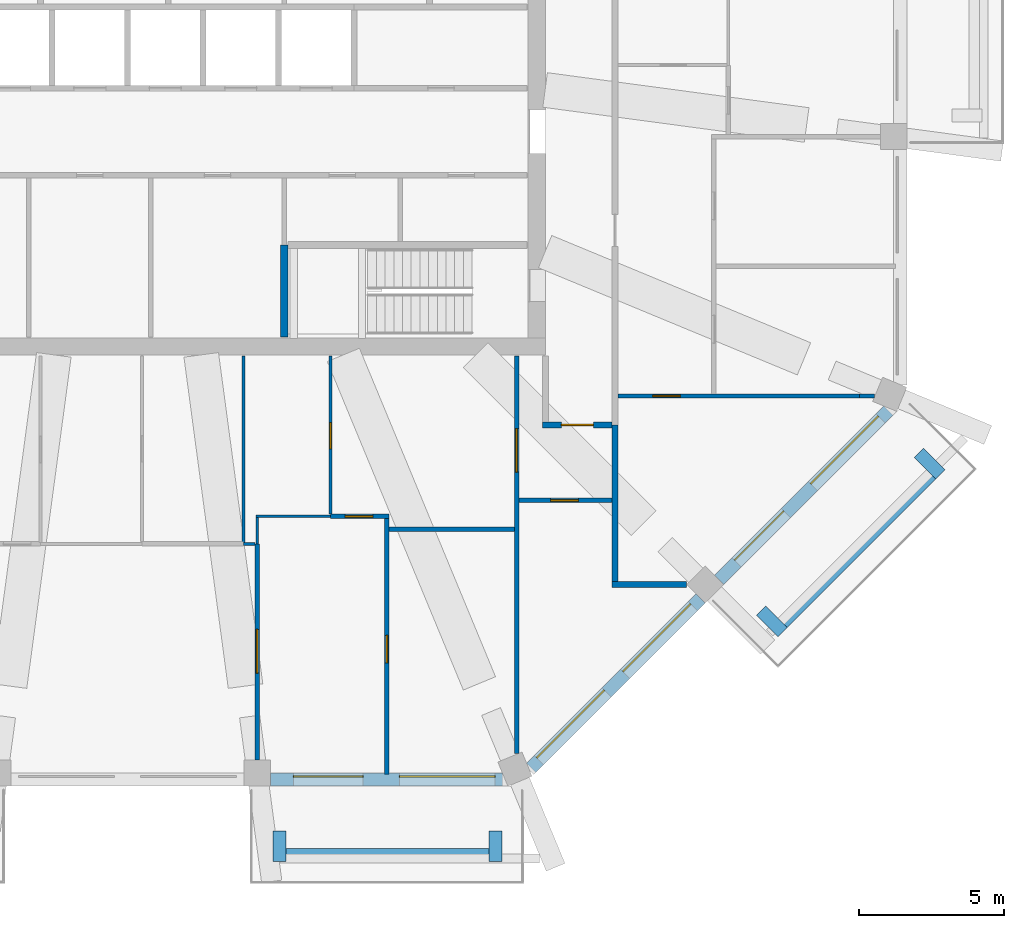
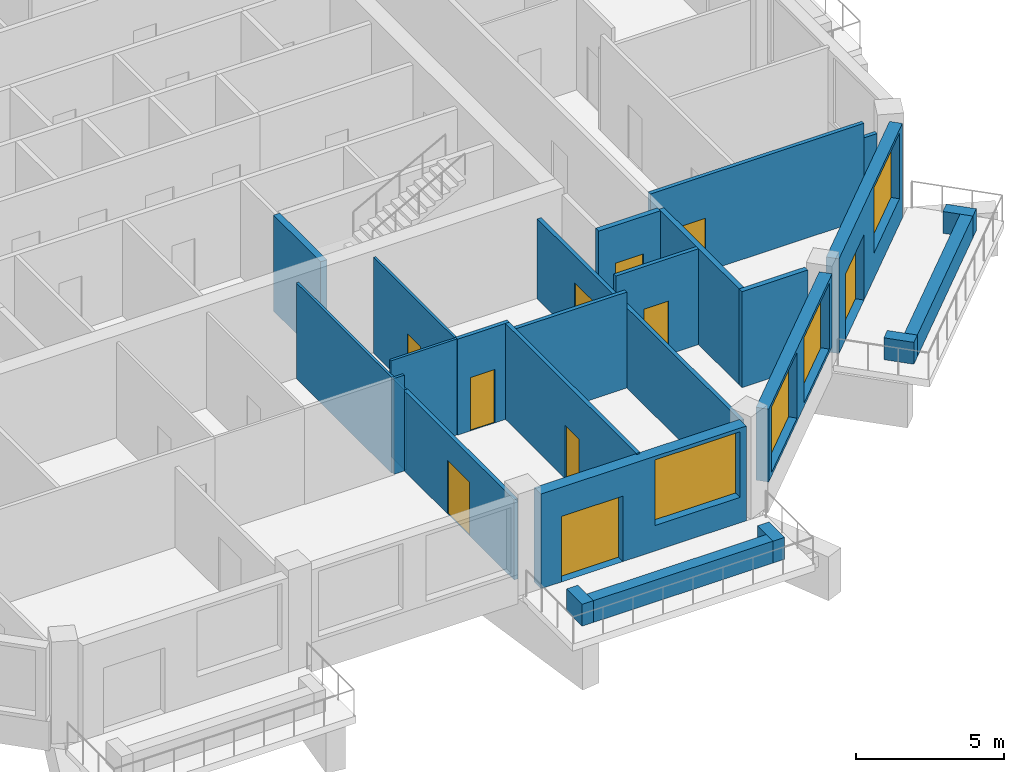
# One storey, part 5 of 12: 26 walls, 10 doors, 4 windows, 14 openings.
"""IFC4 building model written with IfcOpenShell, lengths in metres."""

from ifc_helpers import new_model, si_unit, direction, frame, frame_2d, origin, place, context, subcontext, project, spatial, rectangle, extrude, material, layer, layer_set, type_object, element, fill, save


model = new_model("IFC4")

# Units and contexts
model_context = context("Model", 3, precision=1e-05, world=origin(), true_north=direction((0.0, 1.0)))
body_context = subcontext(model_context, "Body", "Model", "MODEL_VIEW")
ifc_project = project(units=[si_unit("LENGTHUNIT", "METRE"), si_unit("AREAUNIT", "SQUARE_METRE"), si_unit("VOLUMEUNIT", "CUBIC_METRE"), si_unit("PLANEANGLEUNIT", "RADIAN"), si_unit("MASSUNIT", "GRAM", prefix="KILO")], contexts=[model_context])

# Site, building, storey
site_placement = place(None, origin())
site = spatial("IfcSite", under=ifc_project, at=site_placement, CompositionType="ELEMENT")
building_placement = place(site_placement, origin())
building = spatial("IfcBuilding", under=site, at=building_placement, Name="Msitu Wima Residences", CompositionType="ELEMENT")
storey_placement = place(building_placement, frame((0.0, 0.0, 213.89990234375)))
storey = spatial("IfcBuildingStorey", under=building, at=storey_placement, Name="L49", CompositionType="ELEMENT", Elevation=213.89990234375)

# Walls
ifc_material_1 = material(Name="Facing brick")
ifc_layer_1 = layer(ifc_material_1, 0.06494140625, Name="Facing brick")
ifc_material_2 = material(Name="Concrete C40/50", Category="concrete")
ifc_layer_2 = layer(ifc_material_2, 0.156005859375, Name="Concrete C40/50")
ifc_material_3 = material(Name="Waterproofing membrane")
ifc_layer_3 = layer(ifc_material_3, 0.00390625, Name="Waterproofing membrane")
ifc_material_4 = material(Name="Planting soil and planting")
ifc_layer_4 = layer(ifc_material_4, 0.22509765625, Name="Planting soil and planting")
ifc_layer_set_1 = layer_set([ifc_layer_1, ifc_layer_2, ifc_layer_3, ifc_layer_4], Name="Concrete C40/50")
wall_type_1 = type_object("IfcWallType", Name="Balcony planter PLANTER PL450", PredefinedType="USERDEFINED", material=ifc_layer_set_1)
wall_1_placement = place(storey_placement, frame((5.468505859375, -29.22509765625, 0.0), z_axis=(0.0, 0.0, 1.0), x_axis=(1.0, 0.0, 0.0)))
element("IfcWall", 1, at=wall_1_placement, inside=storey, type_object=wall_type_1, Name="Balcony planter S2 L49", ObjectType="PLANTER", PredefinedType="USERDEFINED", context=body_context, shape_type="SweptSolid", body=[
    extrude(rectangle(XDim=6.9873046875, YDim=0.449951171875, at=frame_2d((3.49365234375, 0.0))), origin(), (0.0, 0.0, 1.0), 0.900146484375),
])
for number, where, z_axis, x_axis, name in (
    (2, (5.24365234375, -28.39990234375, 0.0), (0.0, 0.0, 1.0), (0.0, -1.0, 0.0), "Balcony planter S2 L49"),
    (3, (12.680908203125, -28.39990234375, 0.0), (0.0, 0.0, 1.0), (0.0, -1.0, 0.0), "Balcony planter S2 L49"),
):
    element("IfcWall", number, at=place(storey_placement, frame(where, z_axis=z_axis, x_axis=x_axis)), inside=storey, type_object=wall_type_1, Name=name, ObjectType="PLANTER", PredefinedType="USERDEFINED", context=body_context, shape_type="SweptSolid", body=[
        extrude(rectangle(XDim=1.050048828125, YDim=0.449951171875, at=frame_2d((0.52490234375, 0.0))), origin(), (0.0, 0.0, 1.0), 0.900146484375),
    ])
wall_2_placement = place(storey_placement, frame((22.572265625, -21.228759765625, 0.0), z_axis=(0.0, 0.0, 1.0), x_axis=(0.707106781187, 0.707106781187, 0.0)))
element("IfcWall", 4, at=wall_2_placement, inside=storey, type_object=wall_type_1, Name="Balcony planter SE1 L49", ObjectType="PLANTER", PredefinedType="USERDEFINED", context=body_context, shape_type="SweptSolid", body=[
    extrude(rectangle(XDim=7.23828125, YDim=0.449951171875, at=frame_2d((3.619140625, 0.0))), origin(), (0.0, 0.0, 1.0), 0.900146484375),
])
for number, where, z_axis, x_axis, name in (
    (5, (21.829833984375, -20.804443359375, 0.0), (0.0, 0.0, 1.0), (0.707106781187, -0.707106781187, 0.0), "Balcony planter SE1 L49"),
    (6, (27.26611328125, -15.3681640625, 0.0), (0.0, 0.0, 1.0), (0.707223014731, -0.706990528533, 0.0), "Balcony planter SE1 L49"),
):
    element("IfcWall", number, at=place(storey_placement, frame(where, z_axis=z_axis, x_axis=x_axis)), inside=storey, type_object=wall_type_1, Name=name, ObjectType="PLANTER", PredefinedType="USERDEFINED", context=body_context, shape_type="SweptSolid", body=[
        extrude(rectangle(XDim=1.050048828125, YDim=0.449951171875, at=frame_2d((0.52490234375, 0.0))), origin(), (0.0, 0.0, 1.0), 0.900146484375),
    ])

# Wall, openings, door, window
ifc_material_5 = material(Name="Brick (red buff mix)", Category="masonry")
ifc_layer_5 = layer(ifc_material_5, 0.449951171875)
ifc_layer_set_2 = layer_set([ifc_layer_5], Name="Brick (red buff mix)")
wall_type_2 = type_object("IfcWallType", Name="Brick infill wall BW450", PredefinedType="SOLIDWALL", material=ifc_layer_set_2)
wall_3_placement = place(storey_placement, frame((4.918701171875, -26.625, 0.0), z_axis=(0.0, 0.0, 1.0), x_axis=(1.0, 0.0, 0.0)))
wall_3 = element("IfcWall", 7, at=wall_3_placement, inside=storey, type_object=wall_type_2, Name="Brick infill wall L49 S2", PredefinedType="SOLIDWALL", context=body_context, shape_type="SweptSolid", body=[
    extrude(rectangle(XDim=8.0, YDim=0.449951171875, at=frame_2d((4.0, 0.0))), origin(), (0.0, 0.0, 1.0), 3.900146484375),
])
opening_1_placement = place(wall_3_placement, frame((0.800048828125, 0.0, 0.0)))
opening_1 = element("IfcOpeningElement", 8, at=opening_1_placement, cuts=wall_3, Name="Opening D49.007", PredefinedType="OPENING", context=body_context, shape_type="SweptSolid", body=[
    extrude(rectangle(XDim=2.39990234375, YDim=2.699951171875, at=frame_2d((1.199951171875, 1.35009765625))), frame((0.0, 0.23486328125, 0.0), z_axis=(0.0, -1.0, 0.0), x_axis=(1.0, 0.0, 0.0)), (0.0, 0.0, 1.0), 0.469970703125),
])
opening_2_placement = place(wall_3_placement, frame((4.4501953125, 0.0, 1.050048828125)))
opening_2 = element("IfcOpeningElement", 9, at=opening_2_placement, cuts=wall_3, Name="Opening W49.019", PredefinedType="OPENING", context=body_context, shape_type="SweptSolid", body=[
    extrude(rectangle(XDim=3.300048828125, YDim=2.699951171875, at=frame_2d((1.64990234375, 1.35009765625))), frame((0.0, 0.23486328125, 0.0), z_axis=(0.0, -1.0, 0.0), x_axis=(1.0, 0.0, 0.0)), (0.0, 0.0, 1.0), 0.469970703125),
])
ifc_material_6 = material(Name="Anodised aluminium, bronze finish, clear low-emissivity double glazing", Category="aluminium")
door_type_1 = type_object("IfcDoorType", Name="Balcony door D2400x2700", OperationType="SLIDING_TO_LEFT", PredefinedType="DOOR", material=ifc_material_6)
door_1_placement = place(opening_1_placement, origin())
door_1 = element("IfcDoor", 10, at=door_1_placement, inside=storey, type_object=door_type_1, Name="Balcony door L49 S2", OperationType="SINGLE_SWING_LEFT", OverallHeight=2.699951171875, OverallWidth=2.39990234375, PredefinedType="DOOR", context=body_context, shape_type="SweptSolid", body=[
    extrude(rectangle(XDim=2.39990234375, YDim=2.699951171875, at=frame_2d((1.199951171875, 1.35009765625))), frame((0.0, 0.1298828125, 0.0), z_axis=(0.0, -1.0, 0.0), x_axis=(1.0, 0.0, 0.0)), (0.0, 0.0, 1.0), 0.050048828125),
])
fill(opening_1, door_1)
window_type = type_object("IfcWindowType", Name="Window W3300x2700", PartitioningType="DOUBLE_PANEL_VERTICAL", PredefinedType="WINDOW", material=ifc_material_6)
window_1_placement = place(opening_2_placement, origin())
window_1 = element("IfcWindow", 11, at=window_1_placement, inside=storey, type_object=window_type, Name="Window L49 S2.2", OverallHeight=2.699951171875, OverallWidth=3.300048828125, PartitioningType="SINGLE_PANEL", PredefinedType="WINDOW", context=body_context, shape_type="SweptSolid", body=[
    extrude(rectangle(XDim=3.300048828125, YDim=2.699951171875, at=frame_2d((1.64990234375, 1.35009765625))), frame((0.0, 0.135009765625, 0.0), z_axis=(0.0, -1.0, 0.0), x_axis=(1.0, 0.0, 0.0)), (0.0, 0.0, 1.0), 0.06005859375),
])
fill(opening_2, window_1)

# Wall, openings, windows
wall_4_placement = place(storey_placement, frame((13.909423828125, -26.214599609375, 0.900146484375), z_axis=(0.0, 0.0, 1.0), x_axis=(0.707106781187, 0.707106781187, 0.0)))
wall_4 = element("IfcWall", 12, at=wall_4_placement, inside=storey, type_object=wall_type_2, Name="Brick infill wall L49 SE0", PredefinedType="SOLIDWALL", context=body_context, shape_type="SweptSolid", body=[
    extrude(rectangle(XDim=8.251220703125, YDim=0.449951171875, at=frame_2d((4.12548828125, 0.0))), origin(), (0.0, 0.0, 1.0), 3.0),
])
opening_3_placement = place(wall_4_placement, frame((0.37548828125, 0.0, 0.14990234375)))
opening_3 = element("IfcOpeningElement", 13, at=opening_3_placement, cuts=wall_4, Name="Opening W49.020", PredefinedType="OPENING", context=body_context, shape_type="SweptSolid", body=[
    extrude(rectangle(XDim=3.300048828125, YDim=2.699951171875, at=frame_2d((1.64990234375, 1.35009765625))), frame((0.0, 0.23486328125, 0.0), z_axis=(0.0, -1.0, 0.0), x_axis=(1.0, 0.0, 0.0)), (0.0, 0.0, 1.0), 0.469970703125),
])
opening_4_placement = place(wall_4_placement, frame((4.57568359375, 0.0, 0.14990234375)))
opening_4 = element("IfcOpeningElement", 14, at=opening_4_placement, cuts=wall_4, Name="Opening W49.021", PredefinedType="OPENING", context=body_context, shape_type="SweptSolid", body=[
    extrude(rectangle(XDim=3.300048828125, YDim=2.699951171875, at=frame_2d((1.64990234375, 1.35009765625))), frame((0.0, 0.23486328125, 0.0), z_axis=(0.0, -1.0, 0.0), x_axis=(1.0, 0.0, 0.0)), (0.0, 0.0, 1.0), 0.469970703125),
])
window_2_placement = place(opening_3_placement, origin())
window_2 = element("IfcWindow", 15, at=window_2_placement, inside=storey, type_object=window_type, Name="Window L49 SE0.1", OverallHeight=2.699951171875, OverallWidth=3.300048828125, PartitioningType="SINGLE_PANEL", PredefinedType="WINDOW", context=body_context, shape_type="SweptSolid", body=[
    extrude(rectangle(XDim=3.300048828125, YDim=2.699951171875, at=frame_2d((1.64990234375, 1.35009765625))), frame((0.0, 0.135009765625, 0.0), z_axis=(0.0, -1.0, 0.0), x_axis=(1.0, 0.0, 0.0)), (0.0, 0.0, 1.0), 0.06005859375),
])
fill(opening_3, window_2)
window_3_placement = place(opening_4_placement, origin())
window_3 = element("IfcWindow", 16, at=window_3_placement, inside=storey, type_object=window_type, Name="Window L49 SE0.2", OverallHeight=2.699951171875, OverallWidth=3.300048828125, PartitioningType="SINGLE_PANEL", PredefinedType="WINDOW", context=body_context, shape_type="SweptSolid", body=[
    extrude(rectangle(XDim=3.300048828125, YDim=2.699951171875, at=frame_2d((1.64990234375, 1.35009765625))), frame((0.0, 0.135009765625, 0.0), z_axis=(0.0, -1.0, 0.0), x_axis=(1.0, 0.0, 0.0)), (0.0, 0.0, 1.0), 0.06005859375),
])
fill(opening_4, window_3)

# Wall, openings, door, window
wall_5_placement = place(storey_placement, frame((20.380126953125, -19.743896484375, 0.0), z_axis=(0.0, 0.0, 1.0), x_axis=(0.707106781187, 0.707106781187, 0.0)))
wall_5 = element("IfcWall", 17, at=wall_5_placement, inside=storey, type_object=wall_type_2, Name="Brick infill wall L49 SE1", PredefinedType="SOLIDWALL", context=body_context, shape_type="SweptSolid", body=[
    extrude(rectangle(XDim=8.251220703125, YDim=0.449951171875, at=frame_2d((4.12548828125, 0.0))), origin(), (0.0, 0.0, 1.0), 3.900146484375),
])
opening_5_placement = place(wall_5_placement, frame((0.86279296875, 0.0, 0.0)))
opening_5 = element("IfcOpeningElement", 18, at=opening_5_placement, cuts=wall_5, Name="Opening D49.008", PredefinedType="OPENING", context=body_context, shape_type="SweptSolid", body=[
    extrude(rectangle(XDim=2.39990234375, YDim=2.699951171875, at=frame_2d((1.199951171875, 1.35009765625))), frame((0.0, 0.23486328125, 0.0), z_axis=(0.0, -1.0, 0.0), x_axis=(1.0, 0.0, 0.0)), (0.0, 0.0, 1.0), 0.469970703125),
])
opening_6_placement = place(wall_5_placement, frame((4.57568359375, 0.0, 1.050048828125)))
opening_6 = element("IfcOpeningElement", 19, at=opening_6_placement, cuts=wall_5, Name="Opening W49.022", PredefinedType="OPENING", context=body_context, shape_type="SweptSolid", body=[
    extrude(rectangle(XDim=3.300048828125, YDim=2.699951171875, at=frame_2d((1.64990234375, 1.35009765625))), frame((0.0, 0.23486328125, 0.0), z_axis=(0.0, -1.0, 0.0), x_axis=(1.0, 0.0, 0.0)), (0.0, 0.0, 1.0), 0.469970703125),
])
door_2_placement = place(opening_5_placement, origin())
door_2 = element("IfcDoor", 20, at=door_2_placement, inside=storey, type_object=door_type_1, Name="Balcony door L49 SE1", OperationType="SINGLE_SWING_LEFT", OverallHeight=2.699951171875, OverallWidth=2.39990234375, PredefinedType="DOOR", context=body_context, shape_type="SweptSolid", body=[
    extrude(rectangle(XDim=2.39990234375, YDim=2.699951171875, at=frame_2d((1.199951171875, 1.35009765625))), frame((0.0, 0.1298828125, 0.0), z_axis=(0.0, -1.0, 0.0), x_axis=(1.0, 0.0, 0.0)), (0.0, 0.0, 1.0), 0.050048828125),
])
fill(opening_5, door_2)
window_4_placement = place(opening_6_placement, origin())
window_4 = element("IfcWindow", 21, at=window_4_placement, inside=storey, type_object=window_type, Name="Window L49 SE1.2", OverallHeight=2.699951171875, OverallWidth=3.300048828125, PartitioningType="SINGLE_PANEL", PredefinedType="WINDOW", context=body_context, shape_type="SweptSolid", body=[
    extrude(rectangle(XDim=3.300048828125, YDim=2.699951171875, at=frame_2d((1.64990234375, 1.35009765625))), frame((0.0, 0.135009765625, 0.0), z_axis=(0.0, -1.0, 0.0), x_axis=(1.0, 0.0, 0.0)), (0.0, 0.0, 1.0), 0.06005859375),
])
fill(opening_6, window_4)

# Wall, opening, door
ifc_material_7 = material(Name="Plaster")
ifc_layer_6 = layer(ifc_material_7, 0.011962890625, Name="Plaster")
ifc_material_8 = material(Name="Concrete blockwork", Category="masonry")
ifc_layer_7 = layer(ifc_material_8, 0.176025390625, Name="Concrete blockwork")
ifc_layer_8 = layer(ifc_material_7, 0.011962890625, Name="Plaster")
ifc_layer_set_3 = layer_set([ifc_layer_6, ifc_layer_7, ifc_layer_8], Name="Concrete blockwork")
wall_type_3 = type_object("IfcWallType", Name="Corridor wall FW200", PredefinedType="PARTITIONING", material=ifc_layer_set_3)
wall_6_placement = place(storey_placement, frame((14.300048828125, -14.39990234375, 0.0), z_axis=(0.0, 0.0, 1.0), x_axis=(1.0, 0.0, 0.0)))
wall_6 = element("IfcWall", 22, at=wall_6_placement, inside=storey, type_object=wall_type_3, Name="Corridor wall", PredefinedType="PARTITIONING", context=body_context, shape_type="SweptSolid", body=[
    extrude(rectangle(XDim=2.39990234375, YDim=0.199951171875, at=frame_2d((1.199951171875, 0.0))), origin(), (0.0, 0.0, 1.0), 3.9501953125),
])
opening_7_placement = place(wall_6_placement, frame((0.64990234375, 0.0, 0.0)))
opening_7 = element("IfcOpeningElement", 23, at=opening_7_placement, cuts=wall_6, Name="Opening D49.046", PredefinedType="OPENING", context=body_context, shape_type="SweptSolid", body=[
    extrude(rectangle(XDim=1.10009765625, YDim=2.39990234375, at=frame_2d((0.550048828125, 1.199951171875))), frame((0.0, 0.10986328125, 0.0), z_axis=(0.0, -1.0, 0.0), x_axis=(1.0, 0.0, 0.0)), (0.0, 0.0, 1.0), 0.219970703125),
])
ifc_material_9 = material(Name="Timber flush door, fire resisting, self-closing", Category="wood")
door_type_2 = type_object("IfcDoorType", Name="Flat entrance door D01 1100x2400", OperationType="SINGLE_SWING_LEFT", PredefinedType="DOOR", material=ifc_material_9)
door_3_placement = place(opening_7_placement, origin())
door_3 = element("IfcDoor", 24, at=door_3_placement, inside=storey, type_object=door_type_2, Name="Flat entrance door", OperationType="SINGLE_SWING_LEFT", OverallHeight=2.39990234375, OverallWidth=1.10009765625, PredefinedType="DOOR", context=body_context, shape_type="SweptSolid", body=[
    extrude(rectangle(XDim=1.10009765625, YDim=2.39990234375, at=frame_2d((0.550048828125, 1.199951171875))), frame((0.0, 0.02490234375, 0.0), z_axis=(0.0, -1.0, 0.0), x_axis=(1.0, 0.0, 0.0)), (0.0, 0.0, 1.0), 0.050048828125),
])
fill(opening_7, door_3)

ifc_layer_9 = layer(ifc_material_7, 0.011962890625, Name="Plaster")
ifc_layer_10 = layer(ifc_material_8, 0.1259765625, Name="Concrete blockwork")
ifc_layer_11 = layer(ifc_material_7, 0.011962890625, Name="Plaster")
ifc_layer_set_4 = layer_set([ifc_layer_9, ifc_layer_10, ifc_layer_11], Name="Concrete blockwork")
wall_type_4 = type_object("IfcWallType", Name="Partition PW150", PredefinedType="PARTITIONING", material=ifc_layer_set_4)
wall_7_placement = place(storey_placement, frame((4.46875, -25.949951171875, 0.0), z_axis=(0.0, 0.0, 1.0), x_axis=(0.0, 1.0, 0.0)))
wall_7 = element("IfcWall", 25, at=wall_7_placement, inside=storey, type_object=wall_type_4, Name="Partition", PredefinedType="PARTITIONING", context=body_context, shape_type="SweptSolid", body=[
    extrude(rectangle(XDim=7.449951171875, YDim=0.14990234375, at=frame_2d((3.72509765625, 0.0))), origin(), (0.0, 0.0, 1.0), 3.300048828125),
])
opening_8_placement = place(wall_7_placement, frame((3.0, 0.0, 0.0)))
opening_8 = element("IfcOpeningElement", 26, at=opening_8_placement, cuts=wall_7, Name="Opening D49.056", PredefinedType="OPENING", context=body_context, shape_type="SweptSolid", body=[
    extrude(rectangle(XDim=1.5, YDim=2.199951171875, at=frame_2d((0.75, 1.10009765625))), frame((0.0, 0.0849609375, 0.0), z_axis=(0.0, -1.0, 0.0), x_axis=(1.0, 0.0, 0.0)), (0.0, 0.0, 1.0), 0.169921875),
])
ifc_material_10 = material(Name="Timber double door", Category="wood")
door_type_3 = type_object("IfcDoorType", Name="Double door D04 1500x2200", OperationType="DOUBLE_DOOR_SINGLE_SWING", PredefinedType="DOOR", material=ifc_material_10)
door_4_placement = place(opening_8_placement, origin())
door_4 = element("IfcDoor", 27, at=door_4_placement, inside=storey, type_object=door_type_3, Name="Double door", OperationType="DOUBLE_DOOR_SINGLE_SWING", OverallHeight=2.199951171875, OverallWidth=1.5, PredefinedType="DOOR", context=body_context, shape_type="SweptSolid", body=[
    extrude(rectangle(XDim=1.5, YDim=2.199951171875, at=frame_2d((0.75, 1.10009765625))), frame((0.0, 0.02490234375, 0.0), z_axis=(0.0, -1.0, 0.0), x_axis=(1.0, 0.0, 0.0)), (0.0, 0.0, 1.0), 0.050048828125),
])
fill(opening_8, door_4)

wall_8_placement = place(storey_placement, frame((7.0, -17.550048828125, 0.0), z_axis=(0.0, 0.0, 1.0), x_axis=(1.0, 0.0, 0.0)))
wall_8 = element("IfcWall", 28, at=wall_8_placement, inside=storey, type_object=wall_type_4, Name="Partition", PredefinedType="PARTITIONING", context=body_context, shape_type="SweptSolid", body=[
    extrude(rectangle(XDim=2.01220703125, YDim=0.14990234375, at=frame_2d((1.006103515625, 0.0))), origin(), (0.0, 0.0, 1.0), 3.9501953125),
])
opening_9_placement = place(wall_8_placement, frame((0.5, 0.0, 0.0)))
opening_9 = element("IfcOpeningElement", 29, at=opening_9_placement, cuts=wall_8, Name="Opening D49.052", PredefinedType="OPENING", context=body_context, shape_type="SweptSolid", body=[
    extrude(rectangle(XDim=0.949951171875, YDim=2.199951171875, at=frame_2d((0.47509765625, 1.10009765625))), frame((0.0, 0.0849609375, 0.0), z_axis=(0.0, -1.0, 0.0), x_axis=(1.0, 0.0, 0.0)), (0.0, 0.0, 1.0), 0.169921875),
])
ifc_material_11 = material(Name="Timber flush door", Category="wood")
door_type_4 = type_object("IfcDoorType", Name="Room door D12 950x2200", OperationType="SINGLE_SWING_LEFT", PredefinedType="DOOR", material=ifc_material_11)
door_5_placement = place(opening_9_placement, origin())
door_5 = element("IfcDoor", 30, at=door_5_placement, inside=storey, type_object=door_type_4, Name="Room door", OperationType="SINGLE_SWING_LEFT", OverallHeight=2.199951171875, OverallWidth=0.949951171875, PredefinedType="DOOR", context=body_context, shape_type="SweptSolid", body=[
    extrude(rectangle(XDim=0.949951171875, YDim=2.199951171875, at=frame_2d((0.47509765625, 1.10009765625))), frame((0.0, 0.02490234375, 0.0), z_axis=(0.0, -1.0, 0.0), x_axis=(1.0, 0.0, 0.0)), (0.0, 0.0, 1.0), 0.050048828125),
])
fill(opening_9, door_5)

wall_9_placement = place(storey_placement, frame((8.937255859375, -26.455078125, 0.0), z_axis=(0.0, 0.0, 1.0), x_axis=(0.0, 1.0, 0.0)))
wall_9 = element("IfcWall", 31, at=wall_9_placement, inside=storey, type_object=wall_type_4, Name="Partition", PredefinedType="PARTITIONING", context=body_context, shape_type="SweptSolid", body=[
    extrude(rectangle(XDim=8.830078125, YDim=0.14990234375, at=frame_2d((4.4150390625, 0.0))), origin(), (0.0, 0.0, 1.0), 3.9501953125),
])
opening_10_placement = place(wall_9_placement, frame((3.85009765625, 0.0, 0.0)))
opening_10 = element("IfcOpeningElement", 32, at=opening_10_placement, cuts=wall_9, Name="Opening D49.053", PredefinedType="OPENING", context=body_context, shape_type="SweptSolid", body=[
    extrude(rectangle(XDim=0.949951171875, YDim=2.199951171875, at=frame_2d((0.47509765625, 1.10009765625))), frame((0.0, 0.0849609375, 0.0), z_axis=(0.0, -1.0, 0.0), x_axis=(1.0, 0.0, 0.0)), (0.0, 0.0, 1.0), 0.169921875),
])
door_6_placement = place(opening_10_placement, origin())
door_6 = element("IfcDoor", 33, at=door_6_placement, inside=storey, type_object=door_type_4, Name="Room door", OperationType="SINGLE_SWING_LEFT", OverallHeight=2.199951171875, OverallWidth=0.949951171875, PredefinedType="DOOR", context=body_context, shape_type="SweptSolid", body=[
    extrude(rectangle(XDim=0.949951171875, YDim=2.199951171875, at=frame_2d((0.47509765625, 1.10009765625))), frame((0.0, 0.02490234375, 0.0), z_axis=(0.0, -1.0, 0.0), x_axis=(1.0, 0.0, 0.0)), (0.0, 0.0, 1.0), 0.050048828125),
])
fill(opening_10, door_6)

# Wall
wall_10_placement = place(storey_placement, frame((9.01220703125, -18.0, 0.0), z_axis=(0.0, 0.0, 1.0), x_axis=(1.0, 0.0, 0.0)))
element("IfcWall", 34, at=wall_10_placement, inside=storey, type_object=wall_type_4, Name="Partition", PredefinedType="PARTITIONING", context=body_context, shape_type="SweptSolid", body=[
    extrude(rectangle(XDim=4.318603515625, YDim=0.14990234375, at=frame_2d((2.1591796875, 0.0))), origin(), (0.0, 0.0, 1.0), 3.9501953125),
])

# Wall, opening, door
wall_11_placement = place(storey_placement, frame((13.406005859375, -25.731201171875, 0.0), z_axis=(0.0, 0.0, 1.0), x_axis=(0.0, 1.0, 0.0)))
wall_11 = element("IfcWall", 35, at=wall_11_placement, inside=storey, type_object=wall_type_4, Name="Partition", PredefinedType="PARTITIONING", context=body_context, shape_type="SweptSolid", body=[
    extrude(rectangle(XDim=13.701171875, YDim=0.14990234375, at=frame_2d((6.8505859375, 0.0))), origin(), (0.0, 0.0, 1.0), 3.300048828125),
])
opening_11_placement = place(wall_11_placement, frame((9.699951171875, 0.0, 0.0)))
opening_11 = element("IfcOpeningElement", 36, at=opening_11_placement, cuts=wall_11, Name="Opening D49.047", PredefinedType="OPENING", context=body_context, shape_type="SweptSolid", body=[
    extrude(rectangle(XDim=1.5, YDim=2.199951171875, at=frame_2d((0.75, 1.10009765625))), frame((0.0, 0.0849609375, 0.0), z_axis=(0.0, -1.0, 0.0), x_axis=(1.0, 0.0, 0.0)), (0.0, 0.0, 1.0), 0.169921875),
])
door_7_placement = place(opening_11_placement, origin())
door_7 = element("IfcDoor", 37, at=door_7_placement, inside=storey, type_object=door_type_3, Name="Double door", OperationType="DOUBLE_DOOR_SINGLE_SWING", OverallHeight=2.199951171875, OverallWidth=1.5, PredefinedType="DOOR", context=body_context, shape_type="SweptSolid", body=[
    extrude(rectangle(XDim=1.5, YDim=2.199951171875, at=frame_2d((0.75, 1.10009765625))), frame((0.0, 0.02490234375, 0.0), z_axis=(0.0, -1.0, 0.0), x_axis=(1.0, 0.0, 0.0)), (0.0, 0.0, 1.0), 0.050048828125),
])
fill(opening_11, door_7)

wall_12_placement = place(storey_placement, frame((13.48095703125, -17.0, 0.0), z_axis=(0.0, 0.0, 1.0), x_axis=(1.0, 0.0, 0.0)))
wall_12 = element("IfcWall", 38, at=wall_12_placement, inside=storey, type_object=wall_type_4, Name="Partition", PredefinedType="PARTITIONING", context=body_context, shape_type="SweptSolid", body=[
    extrude(rectangle(XDim=3.218994140625, YDim=0.14990234375, at=frame_2d((1.609375, 0.0))), origin(), (0.0, 0.0, 1.0), 3.9501953125),
])
opening_12_placement = place(wall_12_placement, frame((1.10009765625, 0.0, 0.0)))
opening_12 = element("IfcOpeningElement", 39, at=opening_12_placement, cuts=wall_12, Name="Opening D49.054", PredefinedType="OPENING", context=body_context, shape_type="SweptSolid", body=[
    extrude(rectangle(XDim=0.949951171875, YDim=2.199951171875, at=frame_2d((0.47509765625, 1.10009765625))), frame((0.0, 0.0849609375, 0.0), z_axis=(0.0, -1.0, 0.0), x_axis=(1.0, 0.0, 0.0)), (0.0, 0.0, 1.0), 0.169921875),
])
door_8_placement = place(opening_12_placement, origin())
door_8 = element("IfcDoor", 40, at=door_8_placement, inside=storey, type_object=door_type_4, Name="Room door", OperationType="SINGLE_SWING_RIGHT", OverallHeight=2.199951171875, OverallWidth=0.949951171875, PredefinedType="DOOR", context=body_context, shape_type="SweptSolid", body=[
    extrude(rectangle(XDim=0.949951171875, YDim=2.199951171875, at=frame_2d((0.47509765625, 1.10009765625))), frame((0.0, 0.02490234375, 0.0), z_axis=(0.0, -1.0, 0.0), x_axis=(1.0, 0.0, 0.0)), (0.0, 0.0, 1.0), 0.050048828125),
])
fill(opening_12, door_8)

wall_13_placement = place(storey_placement, frame((16.89990234375, -13.406005859375, 0.0), z_axis=(0.0, 0.0, 1.0), x_axis=(1.0, 0.0, 0.0)))
wall_13 = element("IfcWall", 41, at=wall_13_placement, inside=storey, type_object=wall_type_4, Name="Partition", PredefinedType="PARTITIONING", context=body_context, shape_type="SweptSolid", body=[
    extrude(rectangle(XDim=8.32421875, YDim=0.14990234375, at=frame_2d((4.162109375, 0.0))), origin(), (0.0, 0.0, 1.0), 3.9501953125),
])
opening_13_placement = place(wall_13_placement, frame((1.199951171875, 0.0, 0.0)))
opening_13 = element("IfcOpeningElement", 42, at=opening_13_placement, cuts=wall_13, Name="Opening D49.012", PredefinedType="OPENING", context=body_context, shape_type="SweptSolid", body=[
    extrude(rectangle(XDim=0.949951171875, YDim=2.199951171875, at=frame_2d((0.47509765625, 1.10009765625))), frame((0.0, 0.0849609375, 0.0), z_axis=(0.0, -1.0, 0.0), x_axis=(1.0, 0.0, 0.0)), (0.0, 0.0, 1.0), 0.169921875),
])
door_9_placement = place(opening_13_placement, origin())
door_9 = element("IfcDoor", 43, at=door_9_placement, inside=storey, type_object=door_type_4, Name="Room door", OperationType="SINGLE_SWING_RIGHT", OverallHeight=2.199951171875, OverallWidth=0.949951171875, PredefinedType="DOOR", context=body_context, shape_type="SweptSolid", body=[
    extrude(rectangle(XDim=0.949951171875, YDim=2.199951171875, at=frame_2d((0.47509765625, 1.10009765625))), frame((0.0, 0.02490234375, 0.0), z_axis=(0.0, -1.0, 0.0), x_axis=(1.0, 0.0, 0.0)), (0.0, 0.0, 1.0), 0.050048828125),
])
fill(opening_13, door_9)

# Walls
wall_14_placement = place(storey_placement, frame((25.22412109375, -13.406005859375, 0.0), z_axis=(0.0, 0.0, 1.0), x_axis=(1.0, 0.0, 0.0)))
element("IfcWall", 44, at=wall_14_placement, inside=storey, type_object=wall_type_4, Name="Partition", PredefinedType="PARTITIONING", context=body_context, shape_type="SweptSolid", body=[
    extrude(rectangle(XDim=0.507080078125, YDim=0.14990234375, at=frame_2d((0.25341796875, 0.0))), origin(), (0.0, 0.0, 1.0), 3.35009765625),
])
ifc_layer_12 = layer(ifc_material_7, 0.011962890625, Name="Plaster")
ifc_material_12 = material(Name="Dense concrete blockwork", Category="masonry")
ifc_layer_13 = layer(ifc_material_12, 0.176025390625, Name="Dense concrete blockwork")
ifc_layer_14 = layer(ifc_material_7, 0.011962890625, Name="Plaster")
ifc_layer_set_5 = layer_set([ifc_layer_12, ifc_layer_13, ifc_layer_14], Name="Dense concrete blockwork")
wall_type_5 = type_object("IfcWallType", Name="Party wall PW200", PredefinedType="PARTITIONING", material=ifc_layer_set_5)
wall_15_placement = place(storey_placement, frame((16.800048828125, -19.802978515625, 0.0), z_axis=(0.0, 0.0, 1.0), x_axis=(0.0, 1.0, 0.0)))
element("IfcWall", 45, at=wall_15_placement, inside=storey, type_object=wall_type_5, Name="Party wall", PredefinedType="PARTITIONING", context=body_context, shape_type="SweptSolid", body=[
    extrude(rectangle(XDim=5.403076171875, YDim=0.199951171875, at=frame_2d((2.70166015625, 0.0))), origin(), (0.0, 0.0, 1.0), 3.9501953125),
])
wall_16_placement = place(storey_placement, frame((16.699951171875, -19.90283203125, 0.0), z_axis=(0.0, 0.0, 1.0), x_axis=(1.0, 0.0, 0.0)))
element("IfcWall", 46, at=wall_16_placement, inside=storey, type_object=wall_type_5, Name="Party wall", PredefinedType="PARTITIONING", context=body_context, shape_type="SweptSolid", body=[
    extrude(rectangle(XDim=2.566650390625, YDim=0.199951171875, at=frame_2d((1.283203125, 0.0))), origin(), (0.0, 0.0, 1.0), 3.9501953125),
])
ifc_material_13 = material(Name="Concrete C50/60", Category="concrete")
ifc_layer_15 = layer(ifc_material_13, 0.25)
ifc_layer_set_6 = layer_set([ifc_layer_15], Name="Concrete C50/60")
wall_type_6 = type_object("IfcWallType", Name="Stair enclosure wall SW250", PredefinedType="SHEAR", material=ifc_layer_set_6)
wall_17_placement = place(storey_placement, frame((5.39990234375, -11.3701171875, 0.0), z_axis=(0.0, 0.0, 1.0), x_axis=(0.0, 1.0, 0.0)))
element("IfcWall", 47, at=wall_17_placement, inside=storey, type_object=wall_type_6, Name="Stair enclosure wall", PredefinedType="SHEAR", context=body_context, shape_type="SweptSolid", body=[
    extrude(rectangle(XDim=3.170166015625, YDim=0.25, at=frame_2d((1.5849609375, 0.0))), origin(), (0.0, 0.0, 1.0), 3.9501953125),
])
ifc_material_14 = material(Name="Ceramic tiles")
ifc_layer_16 = layer(ifc_material_14, 0.008056640625, Name="Ceramic tiles")
ifc_material_15 = material(Name="Moisture-resistant board")
ifc_layer_17 = layer(ifc_material_15, 0.012451171875, Name="Moisture-resistant board")
ifc_material_16 = material(Name="Light-gauge stud framing with mineral wool")
ifc_layer_18 = layer(ifc_material_16, 0.06689453125, Name="Light-gauge stud framing with mineral wool")
ifc_layer_19 = layer(ifc_material_15, 0.012451171875, Name="Moisture-resistant board")
ifc_layer_set_7 = layer_set([ifc_layer_16, ifc_layer_17, ifc_layer_18, ifc_layer_19], Name="Light-gauge stud framing with mineral wool")
wall_type_7 = type_object("IfcWallType", Name="Wet wall PW100", PredefinedType="PARTITIONING", material=ifc_layer_set_7)
wall_18_placement = place(storey_placement, frame((4.0, -18.5, 0.0), z_axis=(0.0, 0.0, 1.0), x_axis=(1.0, 0.0, 0.0)))
element("IfcWall", 48, at=wall_18_placement, inside=storey, type_object=wall_type_7, Name="Wet wall", PredefinedType="PARTITIONING", context=body_context, shape_type="SweptSolid", body=[
    extrude(rectangle(XDim=0.3935546875, YDim=0.10009765625, at=frame_2d((0.19677734375, 0.0))), origin(), (0.0, 0.0, 1.0), 3.9501953125),
])
wall_19_placement = place(storey_placement, frame((4.0, -18.449951171875, 0.0), z_axis=(0.0, 0.0, 1.0), x_axis=(0.0, 1.0, 0.0)))
element("IfcWall", 49, at=wall_19_placement, inside=storey, type_object=wall_type_7, Name="Wet wall", PredefinedType="PARTITIONING", context=body_context, shape_type="SweptSolid", body=[
    extrude(rectangle(XDim=6.419921875, YDim=0.10009765625, at=frame_2d((3.2099609375, 0.0))), origin(), (0.0, 0.0, 1.0), 3.9501953125),
])
wall_20_placement = place(storey_placement, frame((4.46875, -18.5, 0.0), z_axis=(0.0, 0.0, 1.0), x_axis=(0.0, 1.0, 0.0)))
element("IfcWall", 50, at=wall_20_placement, inside=storey, type_object=wall_type_7, Name="Wet wall", PredefinedType="PARTITIONING", context=body_context, shape_type="SweptSolid", body=[
    extrude(rectangle(XDim=0.89990234375, YDim=0.10009765625, at=frame_2d((0.449951171875, 0.0))), origin(), (0.0, 0.0, 1.0), 3.300048828125),
])
wall_21_placement = place(storey_placement, frame((4.418701171875, -17.550048828125, 0.0), z_axis=(0.0, 0.0, 1.0), x_axis=(1.0, 0.0, 0.0)))
element("IfcWall", 51, at=wall_21_placement, inside=storey, type_object=wall_type_7, Name="Wet wall", PredefinedType="PARTITIONING", context=body_context, shape_type="SweptSolid", body=[
    extrude(rectangle(XDim=2.581298828125, YDim=0.10009765625, at=frame_2d((1.29052734375, 0.0))), origin(), (0.0, 0.0, 1.0), 3.9501953125),
])

# Wall, opening, door
wall_22_placement = place(storey_placement, frame((7.0, -17.47509765625, 0.0), z_axis=(0.0, 0.0, 1.0), x_axis=(0.0, 1.0, 0.0)))
wall_22 = element("IfcWall", 52, at=wall_22_placement, inside=storey, type_object=wall_type_7, Name="Wet wall", PredefinedType="PARTITIONING", context=body_context, shape_type="SweptSolid", body=[
    extrude(rectangle(XDim=5.445068359375, YDim=0.10009765625, at=frame_2d((2.72265625, 0.0))), origin(), (0.0, 0.0, 1.0), 3.9501953125),
])
opening_14_placement = place(wall_22_placement, frame((2.25, 0.0, 0.0)))
opening_14 = element("IfcOpeningElement", 53, at=opening_14_placement, cuts=wall_22, Name="Opening D49.055", PredefinedType="OPENING", context=body_context, shape_type="SweptSolid", body=[
    extrude(rectangle(XDim=0.89990234375, YDim=2.199951171875, at=frame_2d((0.449951171875, 1.10009765625))), frame((0.0, 0.06005859375, 0.0), z_axis=(0.0, -1.0, 0.0), x_axis=(1.0, 0.0, 0.0)), (0.0, 0.0, 1.0), 0.1201171875),
])
ifc_material_17 = material(Name="Timber flush door, moisture resistant", Category="wood")
door_type_5 = type_object("IfcDoorType", Name="Bathroom door D03 900x2200", OperationType="SINGLE_SWING_LEFT", PredefinedType="DOOR", material=ifc_material_17)
door_10_placement = place(opening_14_placement, origin())
door_10 = element("IfcDoor", 54, at=door_10_placement, inside=storey, type_object=door_type_5, Name="Bathroom door", OperationType="SINGLE_SWING_LEFT", OverallHeight=2.199951171875, OverallWidth=0.89990234375, PredefinedType="DOOR", context=body_context, shape_type="SweptSolid", body=[
    extrude(rectangle(XDim=0.89990234375, YDim=2.199951171875, at=frame_2d((0.449951171875, 1.10009765625))), frame((0.0, 0.02490234375, 0.0), z_axis=(0.0, -1.0, 0.0), x_axis=(1.0, 0.0, 0.0)), (0.0, 0.0, 1.0), 0.050048828125),
])
fill(opening_14, door_10)

save(model, "model.ifc")
